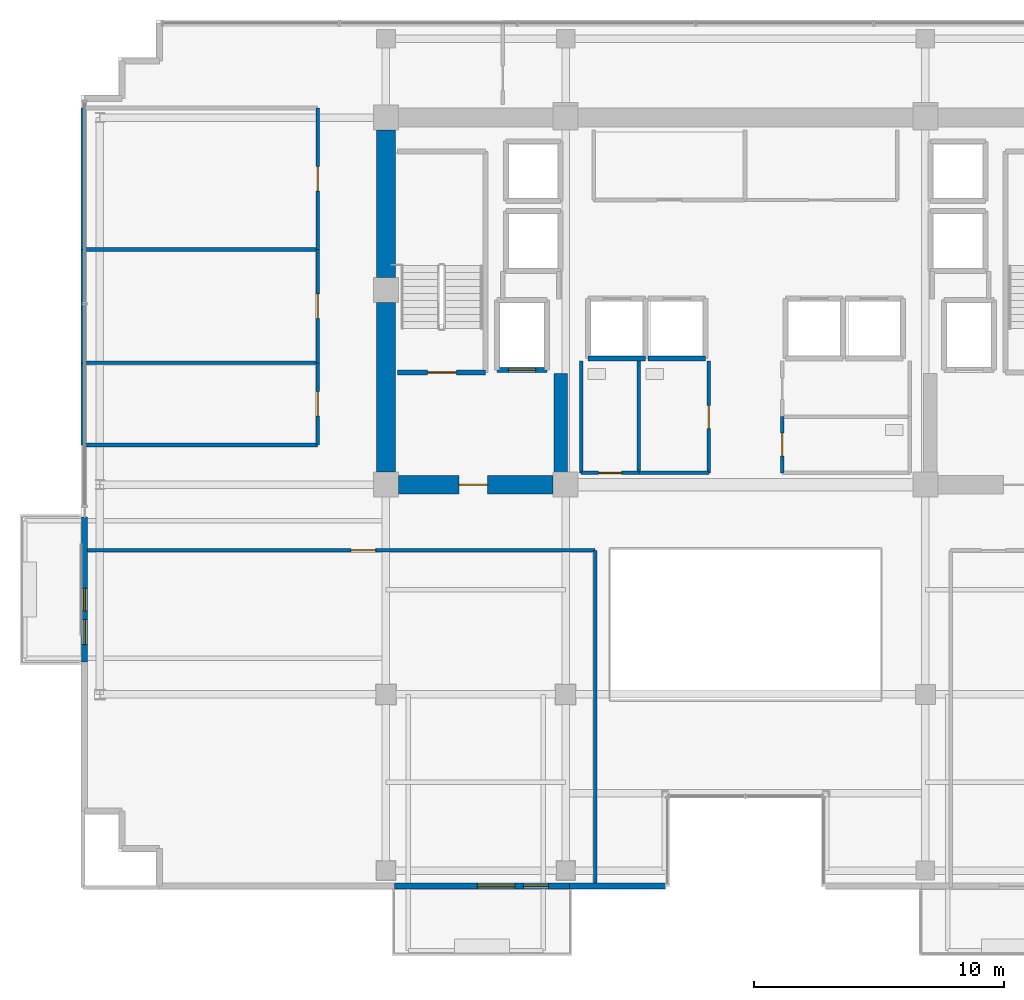
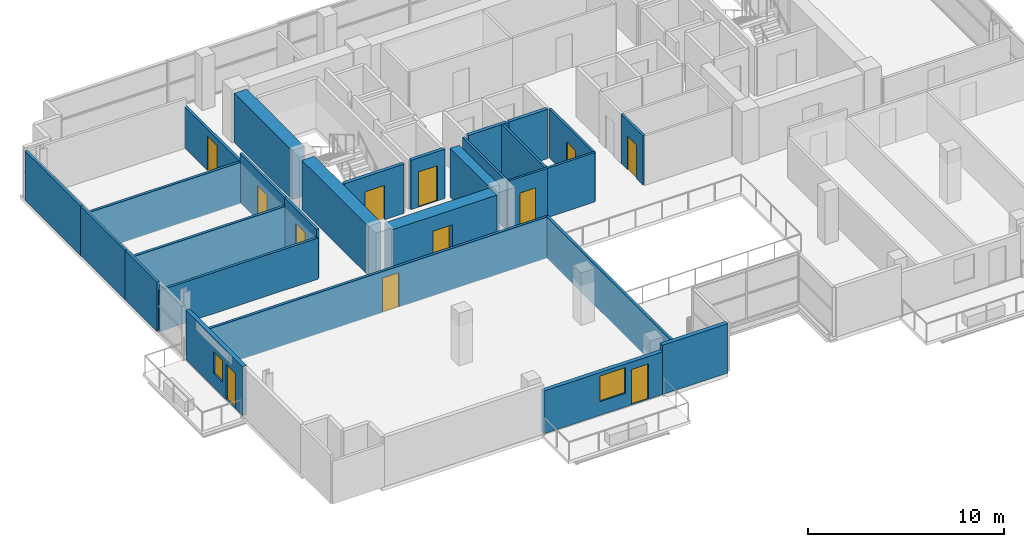
# One storey, part 14 of 21: 28 walls, 12 doors, 2 windows, 14 openings.
"""IFC4 building model written with IfcOpenShell, lengths in metres."""

from ifc_helpers import new_model, si_unit, direction, frame, frame_2d, origin, place, context, subcontext, project, spatial, rectangle, extrude, source, transform, mapped, material, layer, layer_set, type_object, element, fill, save


model = new_model("IFC4")

# Units and contexts
model_context = context("Model", 3, precision=1e-05, world=origin(), true_north=direction((0.0, 1.0)))
body_context = subcontext(model_context, "Body", "Model", "MODEL_VIEW")
ifc_project = project(units=[si_unit("LENGTHUNIT", "METRE"), si_unit("AREAUNIT", "SQUARE_METRE"), si_unit("VOLUMEUNIT", "CUBIC_METRE"), si_unit("PLANEANGLEUNIT", "RADIAN"), si_unit("MASSUNIT", "GRAM", prefix="KILO")], contexts=[model_context])

# Site, building, storey
site_placement = place(None, origin())
site = spatial("IfcSite", under=ifc_project, at=site_placement, CompositionType="ELEMENT")
building_placement = place(site_placement, origin())
building = spatial("IfcBuilding", under=site, at=building_placement, Name="Zarnakvel Exchange Tower", CompositionType="ELEMENT")
storey_placement = place(building_placement, frame((0.0, 0.0, 159.39990234375)))
storey = spatial("IfcBuildingStorey", under=building, at=storey_placement, Name="L44", CompositionType="ELEMENT", Elevation=159.39990234375)

# Walls
ifc_material_1 = material(Name="Concrete C60/75", Category="concrete")
ifc_layer_1 = layer(ifc_material_1, 0.75)
ifc_layer_set_1 = layer_set([ifc_layer_1], Name="Concrete C60/75")
wall_type_1 = type_object("IfcWallType", Name="CW-C3", PredefinedType="SHEAR", material=ifc_layer_set_1)
wall_1_placement = place(storey_placement, frame((-14.39990234375, -0.699951171875, 0.0), z_axis=(0.0, 0.0, 1.0), x_axis=(0.0, 1.0, 0.0)))
element("IfcWall", 1, at=wall_1_placement, inside=storey, type_object=wall_type_1, Name="L44 Rear Core Shear Wall W1 (CW-C3)", PredefinedType="SHEAR", context=body_context, shape_type="SweptSolid", body=[
    extrude(rectangle(XDim=6.800048828125, YDim=0.75, at=frame_2d((3.39990234375, 0.0))), origin(), (0.0, 0.0, 1.0), 3.0751953125),
])
wall_2_placement = place(storey_placement, frame((-14.39990234375, 7.10009765625, 0.0), z_axis=(0.0, 0.0, 1.0), x_axis=(0.0, 1.0, 0.0)))
element("IfcWall", 2, at=wall_2_placement, inside=storey, type_object=wall_type_1, Name="L44 Rear Core Shear Wall W2 (CW-C3)", PredefinedType="SHEAR", context=body_context, shape_type="SweptSolid", body=[
    extrude(rectangle(XDim=5.89990234375, YDim=0.75, at=frame_2d((2.949951171875, 0.0))), origin(), (0.0, 0.0, 1.0), 3.0751953125),
])

# Wall, opening, door
wall_3_placement = place(storey_placement, frame((-7.699951171875, -1.199951171875, 0.0), z_axis=(0.0, 0.0, 1.0), x_axis=(-1.0, 0.0, 0.0)))
wall_3 = element("IfcWall", 3, at=wall_3_placement, inside=storey, type_object=wall_type_1, Name="L44 Rear Core Shear Wall SW (CW-C3)", PredefinedType="SHEAR", context=body_context, shape_type="SweptSolid", body=[
    extrude(rectangle(XDim=6.199951171875, YDim=0.75, at=frame_2d((3.10009765625, 0.0))), origin(), (0.0, 0.0, 1.0), 3.0751953125),
])
opening_1_placement = place(wall_3_placement, frame((2.625, 0.0, 0.0)))
opening_1 = element("IfcOpeningElement", 4, at=opening_1_placement, cuts=wall_3, Name="Opening D-L44-03", PredefinedType="OPENING", context=body_context, shape_type="SweptSolid", body=[
    extrude(rectangle(XDim=1.14990234375, YDim=2.14990234375, at=frame_2d((0.574951171875, 1.074951171875))), frame((0.0, 0.385009765625, 0.0), z_axis=(0.0, -1.0, 0.0), x_axis=(1.0, 0.0, 0.0)), (0.0, 0.0, 1.0), 0.77001953125),
])
ifc_material_2 = material(Name="Painted Galvanised Steel S355", Category="steel")
door_type_1 = type_object("IfcDoorType", Name="DT-04", OperationType="NOTDEFINED", PredefinedType="DOOR", material=ifc_material_2)
shared_shape_1 = source(origin(), body_context, "Body", "SweptSolid", [
    extrude(rectangle(XDim=1.14990234375, YDim=2.14990234375, at=frame_2d((0.574951171875, 1.074951171875))), frame((0.0, 0.02490234375, 0.0), z_axis=(0.0, -1.0, 0.0), x_axis=(1.0, 0.0, 0.0)), (0.0, 0.0, 1.0), 0.050048828125),
])
door_1_placement = place(opening_1_placement, origin())
door_1 = element("IfcDoor", 5, at=door_1_placement, inside=storey, type_object=door_type_1, Name="L44 Firefighting Lobby West Door D-L44-03", OperationType="SINGLE_SWING_LEFT", OverallHeight=2.14990234375, OverallWidth=1.14990234375, PredefinedType="DOOR", context=body_context, shape_type="MappedRepresentation", body=[
    mapped(shared_shape_1, transform((0.0, 0.0, 0.0), x_axis=(1.0, 0.0, 0.0), y_axis=(0.0, 1.0, 0.0), z_axis=(0.0, 0.0, 1.0), scale=1.0)),
])
fill(opening_1, door_1)

# Wall
ifc_layer_2 = layer(ifc_material_1, 0.550048828125)
ifc_layer_set_2 = layer_set([ifc_layer_2], Name="Concrete C60/75")
wall_type_2 = type_object("IfcWallType", Name="CW-C4", PredefinedType="SHEAR", material=ifc_layer_set_2)
wall_4_placement = place(storey_placement, frame((-7.39990234375, -0.824951171875, 0.0), z_axis=(0.0, 0.0, 1.0), x_axis=(0.0, 1.0, 0.0)))
element("IfcWall", 6, at=wall_4_placement, inside=storey, type_object=wall_type_2, Name="L44 Rear Core Shear Wall IW (CW-C4)", PredefinedType="SHEAR", context=body_context, shape_type="SweptSolid", body=[
    extrude(rectangle(XDim=4.074951171875, YDim=0.550048828125, at=frame_2d((2.03759765625, 0.0))), origin(), (0.0, 0.0, 1.0), 3.0751953125),
])

# Wall, openings, door, window
ifc_material_3 = material(Name="Precast concrete C40/50", Category="concrete")
ifc_layer_3 = layer(ifc_material_3, 0.239990234375)
ifc_layer_set_3 = layer_set([ifc_layer_3], Name="Precast concrete C40/50")
wall_type_3 = type_object("IfcWallType", Name="EW-02", PredefinedType="SOLIDWALL", material=ifc_layer_set_3)
wall_5_placement = place(storey_placement, frame((-7.050048828125, -17.260009765625, 0.0), z_axis=(0.0, 0.0, 1.0), x_axis=(-1.0, 0.0, 0.0)))
wall_5 = element("IfcWall", 7, at=wall_5_placement, inside=storey, type_object=wall_type_3, Name="L44 Exterior Precast Spandrel Wall EW-BAL-L44-SW (EW-02)", PredefinedType="SOLIDWALL", context=body_context, shape_type="SweptSolid", body=[
    extrude(rectangle(XDim=7.0, YDim=0.239990234375, at=frame_2d((3.5, 0.0))), origin(), (0.0, 0.0, 1.0), 2.6650390625),
])
opening_2_placement = place(wall_5_placement, frame((0.840087890625, 0.0, 0.0)))
opening_2 = element("IfcOpeningElement", 8, at=opening_2_placement, cuts=wall_5, Name="Opening BD-L44-01", PredefinedType="OPENING", context=body_context, shape_type="SweptSolid", body=[
    extrude(rectangle(XDim=1.0, YDim=2.199951171875, at=frame_2d((0.5, 1.10009765625))), frame((0.0, 0.1298828125, 0.0), z_axis=(0.0, -1.0, 0.0), x_axis=(1.0, 0.0, 0.0)), (0.0, 0.0, 1.0), 0.260009765625),
])
opening_3_placement = place(wall_5_placement, frame((2.18994140625, 0.0, 0.85009765625)))
opening_3 = element("IfcOpeningElement", 9, at=opening_3_placement, cuts=wall_5, Name="Opening WN-03", PredefinedType="OPENING", context=body_context, shape_type="SweptSolid", body=[
    extrude(rectangle(XDim=1.5, YDim=1.60009765625, at=frame_2d((0.75, 0.800048828125))), frame((0.0, 0.1298828125, 0.0), z_axis=(0.0, -1.0, 0.0), x_axis=(1.0, 0.0, 0.0)), (0.0, 0.0, 1.0), 0.260009765625),
])
ifc_material_4 = material(Name="Architectural Bronze Anodised Aluminium", Category="aluminium")
door_type_2 = type_object("IfcDoorType", Name="DT-09", OperationType="NOTDEFINED", PredefinedType="DOOR", material=ifc_material_4)
shared_shape_2 = source(origin(), body_context, "Body", "SweptSolid", [
    extrude(rectangle(XDim=1.0, YDim=2.199951171875, at=frame_2d((0.5, 1.10009765625))), frame((0.0, 0.02490234375, 0.0), z_axis=(0.0, -1.0, 0.0), x_axis=(1.0, 0.0, 0.0)), (0.0, 0.0, 1.0), 0.050048828125),
])
door_2_placement = place(opening_2_placement, origin())
door_2 = element("IfcDoor", 10, at=door_2_placement, inside=storey, type_object=door_type_2, Name="L44 Planted Loggia Balcony Door BD-L44-01", OperationType="SINGLE_SWING_RIGHT", OverallHeight=2.199951171875, OverallWidth=1.0, PredefinedType="DOOR", context=body_context, shape_type="MappedRepresentation", body=[
    mapped(shared_shape_2, transform((0.0, 0.0, 0.0), x_axis=(1.0, 0.0, 0.0), y_axis=(0.0, 1.0, 0.0), z_axis=(0.0, 0.0, 1.0), scale=1.0)),
])
fill(opening_2, door_2)
ifc_material_5 = material(Name="Double Low-E Laminated Vision Glass", Category="glass")
window_type_1 = type_object("IfcWindowType", Name="WN-03", PartitioningType="SINGLE_PANEL", PredefinedType="WINDOW", material=ifc_material_5)
shared_shape_3 = source(origin(), body_context, "Body", "SweptSolid", [
    extrude(rectangle(XDim=1.5, YDim=1.60009765625, at=frame_2d((0.75, 0.800048828125))), frame((0.0, 0.030029296875, 0.0), z_axis=(0.0, -1.0, 0.0), x_axis=(1.0, 0.0, 0.0)), (0.0, 0.0, 1.0), 0.06005859375),
])
window_1_placement = place(opening_3_placement, origin())
window_1 = element("IfcWindow", 11, at=window_1_placement, inside=storey, type_object=window_type_1, Name="L44 Loggia Daylight Window (WN-03)", OverallHeight=1.60009765625, OverallWidth=1.5, PartitioningType="SINGLE_PANEL", PredefinedType="WINDOW", context=body_context, shape_type="MappedRepresentation", body=[
    mapped(shared_shape_3, transform((0.0, 0.0, 0.0), x_axis=(1.0, 0.0, 0.0), y_axis=(0.0, 1.0, 0.0), z_axis=(0.0, 0.0, 1.0), scale=1.0)),
])
fill(opening_3, window_1)

wall_6_placement = place(storey_placement, frame((-26.4599609375, -8.300048828125, 0.0), z_axis=(0.0, 0.0, 1.0), x_axis=(0.0, 1.0, 0.0)))
wall_6 = element("IfcWall", 12, at=wall_6_placement, inside=storey, type_object=wall_type_3, Name="L44 Exterior Precast Spandrel Wall EW-BAL-L44-W (EW-02)", PredefinedType="SOLIDWALL", context=body_context, shape_type="SweptSolid", body=[
    extrude(rectangle(XDim=5.800048828125, YDim=0.239990234375, at=frame_2d((2.89990234375, 0.0))), origin(), (0.0, 0.0, 1.0), 3.0751953125),
])
opening_4_placement = place(wall_6_placement, frame((0.696044921875, 0.0, 0.0)))
opening_4 = element("IfcOpeningElement", 13, at=opening_4_placement, cuts=wall_6, Name="Opening BD-L44-03", PredefinedType="OPENING", context=body_context, shape_type="SweptSolid", body=[
    extrude(rectangle(XDim=1.0, YDim=2.199951171875, at=frame_2d((0.5, 1.10009765625))), frame((0.0, 0.1298828125, 0.0), z_axis=(0.0, -1.0, 0.0), x_axis=(1.0, 0.0, 0.0)), (0.0, 0.0, 1.0), 0.260009765625),
])
opening_5_placement = place(wall_6_placement, frame((2.0458984375, 0.0, 0.85009765625)))
opening_5 = element("IfcOpeningElement", 14, at=opening_5_placement, cuts=wall_6, Name="Opening WN-06", PredefinedType="OPENING", context=body_context, shape_type="SweptSolid", body=[
    extrude(rectangle(XDim=0.89990234375, YDim=1.35009765625, at=frame_2d((0.449951171875, 0.675048828125))), frame((0.0, 0.1298828125, 0.0), z_axis=(0.0, -1.0, 0.0), x_axis=(1.0, 0.0, 0.0)), (0.0, 0.0, 1.0), 0.260009765625),
])
door_3_placement = place(opening_4_placement, origin())
door_3 = element("IfcDoor", 15, at=door_3_placement, inside=storey, type_object=door_type_2, Name="L44 Planted Loggia Balcony Door BD-L44-03", OperationType="SINGLE_SWING_RIGHT", OverallHeight=2.199951171875, OverallWidth=1.0, PredefinedType="DOOR", context=body_context, shape_type="MappedRepresentation", body=[
    mapped(shared_shape_2, transform((0.0, 0.0, 0.0), x_axis=(1.0, 0.0, 0.0), y_axis=(0.0, 1.0, 0.0), z_axis=(0.0, 0.0, 1.0), scale=1.0)),
])
fill(opening_4, door_3)
window_type_2 = type_object("IfcWindowType", Name="WN-06", PartitioningType="SINGLE_PANEL", PredefinedType="WINDOW", material=ifc_material_5)
shared_shape_4 = source(origin(), body_context, "Body", "SweptSolid", [
    extrude(rectangle(XDim=0.89990234375, YDim=1.35009765625, at=frame_2d((0.449951171875, 0.675048828125))), frame((0.0, 0.030029296875, 0.0), z_axis=(0.0, -1.0, 0.0), x_axis=(1.0, 0.0, 0.0)), (0.0, 0.0, 1.0), 0.06005859375),
])
window_2_placement = place(opening_5_placement, origin())
window_2 = element("IfcWindow", 16, at=window_2_placement, inside=storey, type_object=window_type_2, Name="L44 Loggia Daylight Window (WN-06)", OverallHeight=1.35009765625, OverallWidth=0.89990234375, PartitioningType="SINGLE_PANEL", PredefinedType="WINDOW", context=body_context, shape_type="MappedRepresentation", body=[
    mapped(shared_shape_4, transform((0.0, 0.0, 0.0), x_axis=(1.0, 0.0, 0.0), y_axis=(0.0, 1.0, 0.0), z_axis=(0.0, 0.0, 1.0), scale=1.0)),
])
fill(opening_5, window_2)

# Wall
wall_7_placement = place(storey_placement, frame((-7.050048828125, -17.260009765625, 0.0), z_axis=(0.0, 0.0, 1.0), x_axis=(1.0, 0.0, 0.0)))
element("IfcWall", 17, at=wall_7_placement, inside=storey, type_object=wall_type_3, Name="L44 Exterior Precast Spandrel Wall EWC-L44-21 (EW-02)", PredefinedType="SOLIDWALL", context=body_context, shape_type="SweptSolid", body=[
    extrude(rectangle(XDim=3.85009765625, YDim=0.239990234375, at=frame_2d((1.925048828125, 0.0))), origin(), (0.0, 0.0, 1.0), 3.0751953125),
])

# Wall, opening, door
ifc_material_6 = material(Name="Fire-Rated Gypsum Stud Partition", Category="gypsum")
ifc_layer_4 = layer(ifc_material_6, 0.14990234375)
ifc_layer_set_4 = layer_set([ifc_layer_4], Name="Fire-Rated Gypsum Stud Partition")
wall_type_4 = type_object("IfcWallType", Name="PT-01", PredefinedType="PARTITIONING", material=ifc_layer_set_4)
wall_8_placement = place(storey_placement, frame((-26.530029296875, -3.830078125, 0.0), z_axis=(0.0, 0.0, 1.0), x_axis=(1.0, 0.0, 0.0)))
wall_8 = element("IfcWall", 18, at=wall_8_placement, inside=storey, type_object=wall_type_4, Name="L44 Partition Wall PWALL-L44-028 (PT-01)", PredefinedType="PARTITIONING", context=body_context, shape_type="SweptSolid", body=[
    extrude(rectangle(XDim=20.510009765625, YDim=0.14990234375, at=frame_2d((10.2548828125, 0.0))), origin(), (0.0, 0.0, 1.0), 2.565185546875),
])
opening_6_placement = place(wall_8_placement, frame((10.739990234375, 0.0, 0.0)))
opening_6 = element("IfcOpeningElement", 19, at=opening_6_placement, cuts=wall_8, Name="Opening D-L44-11", PredefinedType="OPENING", context=body_context, shape_type="SweptSolid", body=[
    extrude(rectangle(XDim=0.97998046875, YDim=2.14990234375, at=frame_2d((0.489990234375, 1.074951171875))), frame((0.0, 0.0849609375, 0.0), z_axis=(0.0, -1.0, 0.0), x_axis=(1.0, 0.0, 0.0)), (0.0, 0.0, 1.0), 0.169921875),
])
ifc_material_7 = material(Name="Timber Acoustic Veneer", Category="wood")
door_type_3 = type_object("IfcDoorType", Name="DT-05", OperationType="NOTDEFINED", PredefinedType="DOOR", material=ifc_material_7)
shared_shape_5 = source(origin(), body_context, "Body", "SweptSolid", [
    extrude(rectangle(XDim=0.97998046875, YDim=2.14990234375, at=frame_2d((0.489990234375, 1.074951171875))), frame((0.0, 0.02490234375, 0.0), z_axis=(0.0, -1.0, 0.0), x_axis=(1.0, 0.0, 0.0)), (0.0, 0.0, 1.0), 0.050048828125),
])
door_4_placement = place(opening_6_placement, origin())
door_4 = element("IfcDoor", 20, at=door_4_placement, inside=storey, type_object=door_type_3, Name="L44 Institutional Dealing Room Door D-L44-11", OperationType="SINGLE_SWING_LEFT", OverallHeight=2.14990234375, OverallWidth=0.97998046875, PredefinedType="DOOR", context=body_context, shape_type="MappedRepresentation", body=[
    mapped(shared_shape_5, transform((0.0, 0.0, 0.0), x_axis=(1.0, 0.0, 0.0), y_axis=(0.0, 1.0, 0.0), z_axis=(0.0, 0.0, 1.0), scale=1.0)),
])
fill(opening_6, door_4)

# Walls
wall_9_placement = place(storey_placement, frame((-6.02001953125, -3.830078125, 0.0), z_axis=(0.0, 0.0, 1.0), x_axis=(0.0, -1.0, 0.0)))
element("IfcWall", 21, at=wall_9_placement, inside=storey, type_object=wall_type_4, Name="L44 Partition Wall PWALL-L44-030 (PT-01)", PredefinedType="PARTITIONING", context=body_context, shape_type="SweptSolid", body=[
    extrude(rectangle(XDim=13.5, YDim=0.14990234375, at=frame_2d((6.75, 0.0))), origin(), (0.0, 0.0, 1.0), 2.565185546875),
])
for number, where, z_axis, x_axis, name in (
    (22, (-17.1298828125, 0.391357421875, 0.0), (0.0, 0.0, 1.0), (-1.0, 0.0, 0.0), "L44 Partition Wall PWALL-L44-041 (PT-01)"),
    (23, (-26.530029296875, 3.678466796875, 0.0), (0.0, 0.0, 1.0), (1.0, 0.0, 0.0), "L44 Partition Wall PWALL-L44-042 (PT-01)"),
):
    element("IfcWall", number, at=place(storey_placement, frame(where, z_axis=z_axis, x_axis=x_axis)), inside=storey, type_object=wall_type_4, Name=name, PredefinedType="PARTITIONING", context=body_context, shape_type="SweptSolid", body=[
        extrude(rectangle(XDim=9.400146484375, YDim=0.14990234375, at=frame_2d((4.7001953125, 0.0))), origin(), (0.0, 0.0, 1.0), 2.565185546875),
    ])
wall_10_placement = place(storey_placement, frame((-26.530029296875, 0.391357421875, 0.0), z_axis=(0.0, 0.0, 1.0), x_axis=(0.0, 1.0, 0.0)))
element("IfcWall", 24, at=wall_10_placement, inside=storey, type_object=wall_type_4, Name="L44 Partition Wall PWALL-L44-043 (PT-01)", PredefinedType="PARTITIONING", context=body_context, shape_type="SweptSolid", body=[
    extrude(rectangle(XDim=3.287109375, YDim=0.14990234375, at=frame_2d((1.6435546875, 0.0))), origin(), (0.0, 0.0, 1.0), 3.0751953125),
])

# Wall, opening, door
wall_11_placement = place(storey_placement, frame((-17.1298828125, 3.678466796875, 0.0), z_axis=(0.0, 0.0, 1.0), x_axis=(0.0, -1.0, 0.0)))
wall_11 = element("IfcWall", 25, at=wall_11_placement, inside=storey, type_object=wall_type_4, Name="L44 Partition Wall PWALL-L44-044 (PT-01)", PredefinedType="PARTITIONING", context=body_context, shape_type="SweptSolid", body=[
    extrude(rectangle(XDim=3.287109375, YDim=0.14990234375, at=frame_2d((1.6435546875, 0.0))), origin(), (0.0, 0.0, 1.0), 3.0751953125),
])
opening_7_placement = place(wall_11_placement, frame((1.1533203125, 0.0, 0.0)))
opening_7 = element("IfcOpeningElement", 26, at=opening_7_placement, cuts=wall_11, Name="Opening D-L44-15", PredefinedType="OPENING", context=body_context, shape_type="SweptSolid", body=[
    extrude(rectangle(XDim=0.97998046875, YDim=2.14990234375, at=frame_2d((0.489990234375, 1.074951171875))), frame((0.0, 0.0849609375, 0.0), z_axis=(0.0, -1.0, 0.0), x_axis=(1.0, 0.0, 0.0)), (0.0, 0.0, 1.0), 0.169921875),
])
door_5_placement = place(opening_7_placement, origin())
door_5 = element("IfcDoor", 27, at=door_5_placement, inside=storey, type_object=door_type_3, Name="L44 Breakout Pantry Door D-L44-15", OperationType="SINGLE_SWING_LEFT", OverallHeight=2.14990234375, OverallWidth=0.97998046875, PredefinedType="DOOR", context=body_context, shape_type="MappedRepresentation", body=[
    mapped(shared_shape_5, transform((0.0, 0.0, 0.0), x_axis=(1.0, 0.0, 0.0), y_axis=(0.0, 1.0, 0.0), z_axis=(0.0, 0.0, 1.0), scale=1.0)),
])
fill(opening_7, door_5)

# Walls
wall_12_placement = place(storey_placement, frame((-26.530029296875, 8.21630859375, 0.0), z_axis=(0.0, 0.0, 1.0), x_axis=(1.0, 0.0, 0.0)))
element("IfcWall", 28, at=wall_12_placement, inside=storey, type_object=wall_type_4, Name="L44 Partition Wall PWALL-L44-045 (PT-01)", PredefinedType="PARTITIONING", context=body_context, shape_type="SweptSolid", body=[
    extrude(rectangle(XDim=9.400146484375, YDim=0.14990234375, at=frame_2d((4.7001953125, 0.0))), origin(), (0.0, 0.0, 1.0), 2.565185546875),
])
wall_13_placement = place(storey_placement, frame((-26.530029296875, 3.678466796875, 0.0), z_axis=(0.0, 0.0, 1.0), x_axis=(0.0, 1.0, 0.0)))
element("IfcWall", 29, at=wall_13_placement, inside=storey, type_object=wall_type_4, Name="L44 Partition Wall PWALL-L44-046 (PT-01)", PredefinedType="PARTITIONING", context=body_context, shape_type="SweptSolid", body=[
    extrude(rectangle(XDim=4.537841796875, YDim=0.14990234375, at=frame_2d((2.26904296875, 0.0))), origin(), (0.0, 0.0, 1.0), 3.0751953125),
])

# Wall, opening, door
wall_14_placement = place(storey_placement, frame((-17.1298828125, 8.21630859375, 0.0), z_axis=(0.0, 0.0, 1.0), x_axis=(0.0, -1.0, 0.0)))
wall_14 = element("IfcWall", 30, at=wall_14_placement, inside=storey, type_object=wall_type_4, Name="L44 Partition Wall PWALL-L44-047 (PT-01)", PredefinedType="PARTITIONING", context=body_context, shape_type="SweptSolid", body=[
    extrude(rectangle(XDim=4.537841796875, YDim=0.14990234375, at=frame_2d((2.26904296875, 0.0))), origin(), (0.0, 0.0, 1.0), 3.0751953125),
])
opening_8_placement = place(wall_14_placement, frame((1.779296875, 0.0, 0.0)))
opening_8 = element("IfcOpeningElement", 31, at=opening_8_placement, cuts=wall_14, Name="Opening D-L44-16", PredefinedType="OPENING", context=body_context, shape_type="SweptSolid", body=[
    extrude(rectangle(XDim=0.97998046875, YDim=2.14990234375, at=frame_2d((0.489990234375, 1.074951171875))), frame((0.0, 0.0849609375, 0.0), z_axis=(0.0, -1.0, 0.0), x_axis=(1.0, 0.0, 0.0)), (0.0, 0.0, 1.0), 0.169921875),
])
door_6_placement = place(opening_8_placement, origin())
door_6 = element("IfcDoor", 32, at=door_6_placement, inside=storey, type_object=door_type_3, Name="L44 Settlement Office Door D-L44-16", OperationType="SINGLE_SWING_RIGHT", OverallHeight=2.14990234375, OverallWidth=0.97998046875, PredefinedType="DOOR", context=body_context, shape_type="MappedRepresentation", body=[
    mapped(shared_shape_5, transform((0.0, 0.0, 0.0), x_axis=(1.0, 0.0, 0.0), y_axis=(0.0, 1.0, 0.0), z_axis=(0.0, 0.0, 1.0), scale=1.0)),
])
fill(opening_8, door_6)

# Wall
wall_15_placement = place(storey_placement, frame((-26.530029296875, 8.21630859375, 0.0), z_axis=(0.0, 0.0, 1.0), x_axis=(0.0, 1.0, 0.0)))
element("IfcWall", 33, at=wall_15_placement, inside=storey, type_object=wall_type_4, Name="L44 Partition Wall PWALL-L44-049 (PT-01)", PredefinedType="PARTITIONING", context=body_context, shape_type="SweptSolid", body=[
    extrude(rectangle(XDim=5.66357421875, YDim=0.14990234375, at=frame_2d((2.831787109375, 0.0))), origin(), (0.0, 0.0, 1.0), 3.0751953125),
])

# Wall, opening, door
wall_16_placement = place(storey_placement, frame((-17.1298828125, 13.8798828125, 0.0), z_axis=(0.0, 0.0, 1.0), x_axis=(0.0, -1.0, 0.0)))
wall_16 = element("IfcWall", 34, at=wall_16_placement, inside=storey, type_object=wall_type_4, Name="L44 Partition Wall PWALL-L44-050 (PT-01)", PredefinedType="PARTITIONING", context=body_context, shape_type="SweptSolid", body=[
    extrude(rectangle(XDim=5.66357421875, YDim=0.14990234375, at=frame_2d((2.831787109375, 0.0))), origin(), (0.0, 0.0, 1.0), 2.565185546875),
])
opening_9_placement = place(wall_16_placement, frame((2.342041015625, 0.0, 0.0)))
opening_9 = element("IfcOpeningElement", 35, at=opening_9_placement, cuts=wall_16, Name="Opening D-L44-17", PredefinedType="OPENING", context=body_context, shape_type="SweptSolid", body=[
    extrude(rectangle(XDim=0.97998046875, YDim=2.14990234375, at=frame_2d((0.489990234375, 1.074951171875))), frame((0.0, 0.0849609375, 0.0), z_axis=(0.0, -1.0, 0.0), x_axis=(1.0, 0.0, 0.0)), (0.0, 0.0, 1.0), 0.169921875),
])
door_7_placement = place(opening_9_placement, origin())
door_7 = element("IfcDoor", 36, at=door_7_placement, inside=storey, type_object=door_type_3, Name="L44 Reception Lounge Door D-L44-17", OperationType="SINGLE_SWING_LEFT", OverallHeight=2.14990234375, OverallWidth=0.97998046875, PredefinedType="DOOR", context=body_context, shape_type="MappedRepresentation", body=[
    mapped(shared_shape_5, transform((0.0, 0.0, 0.0), x_axis=(1.0, 0.0, 0.0), y_axis=(0.0, 1.0, 0.0), z_axis=(0.0, 0.0, 1.0), scale=1.0)),
])
fill(opening_9, door_7)

ifc_material_8 = material(Name="Moisture-Resistant Tile-Faced Partition", Category="gypsum")
ifc_layer_5 = layer(ifc_material_8, 0.135009765625)
ifc_layer_set_5 = layer_set([ifc_layer_5], Name="Moisture-Resistant Tile-Faced Partition")
wall_type_5 = type_object("IfcWallType", Name="PT-03", PredefinedType="PARTITIONING", material=ifc_layer_set_5)
wall_17_placement = place(storey_placement, frame((-4.27001953125, -0.72998046875, 0.0), z_axis=(0.0, 0.0, 1.0), x_axis=(-1.0, 0.0, 0.0)))
wall_17 = element("IfcWall", 37, at=wall_17_placement, inside=storey, type_object=wall_type_5, Name="L44 Partition Wall PWALL-L44-016 (PT-03)", PredefinedType="PARTITIONING", context=body_context, shape_type="SweptSolid", body=[
    extrude(rectangle(XDim=2.31005859375, YDim=0.135009765625, at=frame_2d((1.155029296875, 0.0))), origin(), (0.0, 0.0, 1.0), 3.0751953125),
])
opening_10_placement = place(wall_17_placement, frame((0.68994140625, 0.0, 0.0)))
opening_10 = element("IfcOpeningElement", 38, at=opening_10_placement, cuts=wall_17, Name="Opening D-L44-07", PredefinedType="OPENING", context=body_context, shape_type="SweptSolid", body=[
    extrude(rectangle(XDim=0.919921875, YDim=2.10009765625, at=frame_2d((0.4599609375, 1.050048828125))), frame((0.0, 0.077392578125, 0.0), z_axis=(0.0, -1.0, 0.0), x_axis=(1.0, 0.0, 0.0)), (0.0, 0.0, 1.0), 0.155029296875),
])
ifc_material_9 = material(Name="Moisture-Resistant Laminate Timber", Category="wood")
door_type_4 = type_object("IfcDoorType", Name="DT-07", OperationType="NOTDEFINED", PredefinedType="DOOR", material=ifc_material_9)
shared_shape_6 = source(origin(), body_context, "Body", "SweptSolid", [
    extrude(rectangle(XDim=0.919921875, YDim=2.10009765625, at=frame_2d((0.4599609375, 1.050048828125))), frame((0.0, 0.02490234375, 0.0), z_axis=(0.0, -1.0, 0.0), x_axis=(1.0, 0.0, 0.0)), (0.0, 0.0, 1.0), 0.050048828125),
])
door_8_placement = place(opening_10_placement, origin())
door_8 = element("IfcDoor", 39, at=door_8_placement, inside=storey, type_object=door_type_4, Name="L44 Female Toilet Door D-L44-07", OperationType="SINGLE_SWING_LEFT", OverallHeight=2.10009765625, OverallWidth=0.919921875, PredefinedType="DOOR", context=body_context, shape_type="MappedRepresentation", body=[
    mapped(shared_shape_6, transform((0.0, 0.0, 0.0), x_axis=(1.0, 0.0, 0.0), y_axis=(0.0, 1.0, 0.0), z_axis=(0.0, 0.0, 1.0), scale=1.0)),
])
fill(opening_10, door_8)

# Walls
for number, where, z_axis, x_axis, name in (
    (40, (-6.580078125, -0.72998046875, 0.0), (0.0, 0.0, 1.0), (0.0, 1.0, 0.0), "L44 Partition Wall PWALL-L44-017 (PT-03)"),
    (41, (-4.27001953125, 3.760009765625, 0.0), (0.0, 0.0, 1.0), (0.0, -1.0, 0.0), "L44 Partition Wall PWALL-L44-018 (PT-03)"),
):
    element("IfcWall", number, at=place(storey_placement, frame(where, z_axis=z_axis, x_axis=x_axis)), inside=storey, type_object=wall_type_5, Name=name, PredefinedType="PARTITIONING", context=body_context, shape_type="SweptSolid", body=[
        extrude(rectangle(XDim=4.489990234375, YDim=0.135009765625, at=frame_2d((2.2451171875, 0.0))), origin(), (0.0, 0.0, 1.0), 3.0751953125),
    ])
wall_18_placement = place(storey_placement, frame((-1.469970703125, -0.72998046875, 0.0), z_axis=(0.0, 0.0, 1.0), x_axis=(-1.0, 0.0, 0.0)))
element("IfcWall", 42, at=wall_18_placement, inside=storey, type_object=wall_type_5, Name="L44 Partition Wall PWALL-L44-019 (PT-03)", PredefinedType="PARTITIONING", context=body_context, shape_type="SweptSolid", body=[
    extrude(rectangle(XDim=2.800048828125, YDim=0.135009765625, at=frame_2d((1.39990234375, 0.0))), origin(), (0.0, 0.0, 1.0), 3.0751953125),
])

# Wall, opening, door
wall_19_placement = place(storey_placement, frame((-1.469970703125, 3.760009765625, 0.0), z_axis=(0.0, 0.0, 1.0), x_axis=(0.0, -1.0, 0.0)))
wall_19 = element("IfcWall", 43, at=wall_19_placement, inside=storey, type_object=wall_type_5, Name="L44 Partition Wall PWALL-L44-020 (PT-03)", PredefinedType="PARTITIONING", context=body_context, shape_type="SweptSolid", body=[
    extrude(rectangle(XDim=4.489990234375, YDim=0.135009765625, at=frame_2d((2.2451171875, 0.0))), origin(), (0.0, 0.0, 1.0), 3.0751953125),
])
opening_11_placement = place(wall_19_placement, frame((1.800048828125, 0.0, 0.0)))
opening_11 = element("IfcOpeningElement", 44, at=opening_11_placement, cuts=wall_19, Name="Opening D-L44-08", PredefinedType="OPENING", context=body_context, shape_type="SweptSolid", body=[
    extrude(rectangle(XDim=0.919921875, YDim=2.10009765625, at=frame_2d((0.4599609375, 1.050048828125))), frame((0.0, 0.077392578125, 0.0), z_axis=(0.0, -1.0, 0.0), x_axis=(1.0, 0.0, 0.0)), (0.0, 0.0, 1.0), 0.155029296875),
])
door_9_placement = place(opening_11_placement, origin())
door_9 = element("IfcDoor", 45, at=door_9_placement, inside=storey, type_object=door_type_4, Name="L44 Male Toilet Door D-L44-08", OperationType="SINGLE_SWING_RIGHT", OverallHeight=2.10009765625, OverallWidth=0.919921875, PredefinedType="DOOR", context=body_context, shape_type="MappedRepresentation", body=[
    mapped(shared_shape_6, transform((0.0, 0.0, 0.0), x_axis=(1.0, 0.0, 0.0), y_axis=(0.0, 1.0, 0.0), z_axis=(0.0, 0.0, 1.0), scale=1.0)),
])
fill(opening_11, door_9)

wall_20_placement = place(storey_placement, frame((1.469970703125, -0.72998046875, 0.0), z_axis=(0.0, 0.0, 1.0), x_axis=(0.0, 1.0, 0.0)))
wall_20 = element("IfcWall", 46, at=wall_20_placement, inside=storey, type_object=wall_type_5, Name="L44 Partition Wall PWALL-L44-023 (PT-03)", PredefinedType="PARTITIONING", context=body_context, shape_type="SweptSolid", body=[
    extrude(rectangle(XDim=2.25, YDim=0.135009765625, at=frame_2d((1.125, 0.0))), origin(), (0.0, 0.0, 1.0), 3.0751953125),
])
opening_12_placement = place(wall_20_placement, frame((0.669921875, 0.0, 0.0)))
opening_12 = element("IfcOpeningElement", 47, at=opening_12_placement, cuts=wall_20, Name="Opening D-L44-09", PredefinedType="OPENING", context=body_context, shape_type="SweptSolid", body=[
    extrude(rectangle(XDim=0.919921875, YDim=2.10009765625, at=frame_2d((0.4599609375, 1.050048828125))), frame((0.0, 0.077392578125, 0.0), z_axis=(0.0, -1.0, 0.0), x_axis=(1.0, 0.0, 0.0)), (0.0, 0.0, 1.0), 0.155029296875),
])
door_10_placement = place(opening_12_placement, origin())
door_10 = element("IfcDoor", 48, at=door_10_placement, inside=storey, type_object=door_type_4, Name="L44 Accessible Toilet Door D-L44-09", OperationType="SINGLE_SWING_LEFT", OverallHeight=2.10009765625, OverallWidth=0.919921875, PredefinedType="DOOR", context=body_context, shape_type="MappedRepresentation", body=[
    mapped(shared_shape_6, transform((0.0, 0.0, 0.0), x_axis=(1.0, 0.0, 0.0), y_axis=(0.0, 1.0, 0.0), z_axis=(0.0, 0.0, 1.0), scale=1.0)),
])
fill(opening_12, door_10)

ifc_material_10 = material(Name="Concrete C40/50", Category="concrete")
ifc_layer_6 = layer(ifc_material_10, 0.199951171875)
ifc_layer_set_6 = layer_set([ifc_layer_6], Name="Concrete C40/50")
wall_type_6 = type_object("IfcWallType", Name="SW-01", PredefinedType="SOLIDWALL", material=ifc_layer_set_6)
wall_21_placement = place(storey_placement, frame((-7.949951171875, 3.39990234375, 0.0), z_axis=(0.0, 0.0, 1.0), x_axis=(-1.0, 0.0, 0.0)))
wall_21 = element("IfcWall", 49, at=wall_21_placement, inside=storey, type_object=wall_type_6, Name="L44 FL-01 Hoistway Wall South", PredefinedType="SOLIDWALL", context=body_context, shape_type="SweptSolid", body=[
    extrude(rectangle(XDim=2.0, YDim=0.199951171875, at=frame_2d((1.0, 0.0))), origin(), (0.0, 0.0, 1.0), 3.0751953125),
])
opening_13_placement = place(wall_21_placement, frame((0.449951171875, 0.0, 0.0)))
opening_13 = element("IfcOpeningElement", 50, at=opening_13_placement, cuts=wall_21, Name="Opening LD-FL-01-L44", PredefinedType="OPENING", context=body_context, shape_type="SweptSolid", body=[
    extrude(rectangle(XDim=1.10009765625, YDim=2.199951171875, at=frame_2d((0.550048828125, 1.10009765625))), frame((0.0, 0.10986328125, 0.0), z_axis=(0.0, -1.0, 0.0), x_axis=(1.0, 0.0, 0.0)), (0.0, 0.0, 1.0), 0.219970703125),
])
ifc_material_11 = material(Name="Brushed Stainless Steel", Category="steel")
door_type_5 = type_object("IfcDoorType", Name="LDT-01", OperationType="NOTDEFINED", PredefinedType="DOOR", material=ifc_material_11)
shared_shape_7 = source(origin(), body_context, "Body", "SweptSolid", [
    extrude(rectangle(XDim=1.10009765625, YDim=2.199951171875, at=frame_2d((0.550048828125, 1.10009765625))), frame((0.0, 0.02490234375, 0.0), z_axis=(0.0, -1.0, 0.0), x_axis=(1.0, 0.0, 0.0)), (0.0, 0.0, 1.0), 0.050048828125),
])
door_11_placement = place(opening_13_placement, origin())
door_11 = element("IfcDoor", 51, at=door_11_placement, inside=storey, type_object=door_type_5, Name="L44 FL-01 Lift Landing Door LD-FL-01-L44", OperationType="DOUBLE_DOOR_SLIDING", OverallHeight=2.199951171875, OverallWidth=1.10009765625, PredefinedType="DOOR", context=body_context, shape_type="MappedRepresentation", body=[
    mapped(shared_shape_7, transform((0.0, 0.0, 0.0), x_axis=(1.0, 0.0, 0.0), y_axis=(0.0, 1.0, 0.0), z_axis=(0.0, 0.0, 1.0), scale=1.0)),
])
fill(opening_13, door_11)

# Walls
wall_22_placement = place(storey_placement, frame((-4.0, 3.85009765625, 0.0), z_axis=(0.0, 0.0, 1.0), x_axis=(-1.0, 0.0, 0.0)))
element("IfcWall", 52, at=wall_22_placement, inside=storey, type_object=wall_type_6, Name="L44 PL-05 Hoistway Wall South", PredefinedType="SOLIDWALL", context=body_context, shape_type="SweptSolid", body=[
    extrude(rectangle(XDim=2.300048828125, YDim=0.199951171875, at=frame_2d((1.14990234375, 0.0))), origin(), (0.0, 0.0, 1.0), 3.0751953125),
])
wall_23_placement = place(storey_placement, frame((-1.60009765625, 3.85009765625, 0.0), z_axis=(0.0, 0.0, 1.0), x_axis=(-1.0, 0.0, 0.0)))
element("IfcWall", 53, at=wall_23_placement, inside=storey, type_object=wall_type_6, Name="L44 PL-06 Hoistway Wall South", PredefinedType="SOLIDWALL", context=body_context, shape_type="SweptSolid", body=[
    extrude(rectangle(XDim=2.2998046875, YDim=0.199951171875, at=frame_2d((1.14990234375, 0.0))), origin(), (0.0, 0.0, 1.0), 3.0751953125),
])

# Wall, opening, door
ifc_layer_7 = layer(ifc_material_10, 0.199951171875)
ifc_layer_set_7 = layer_set([ifc_layer_7], Name="Concrete C40/50")
wall_type_7 = type_object("IfcWallType", Name="SW-02", PredefinedType="SOLIDWALL", material=ifc_layer_set_7)
wall_24_placement = place(storey_placement, frame((-10.409912109375, 3.2900390625, 0.0), z_axis=(0.0, 0.0, 1.0), x_axis=(-1.0, 0.0, 0.0)))
wall_24 = element("IfcWall", 54, at=wall_24_placement, inside=storey, type_object=wall_type_7, Name="L44 Stairwell Core Wall PWALL-L44-001 (SW-02)", PredefinedType="SOLIDWALL", context=body_context, shape_type="SweptSolid", body=[
    extrude(rectangle(XDim=3.52001953125, YDim=0.199951171875, at=frame_2d((1.760009765625, 0.0))), origin(), (0.0, 0.0, 1.0), 3.0751953125),
])
opening_14_placement = place(wall_24_placement, frame((1.1650390625, 0.0, 0.0)))
opening_14 = element("IfcOpeningElement", 55, at=opening_14_placement, cuts=wall_24, Name="Opening D-L44-01", PredefinedType="OPENING", context=body_context, shape_type="SweptSolid", body=[
    extrude(rectangle(XDim=1.14990234375, YDim=2.14990234375, at=frame_2d((0.574951171875, 1.074951171875))), frame((0.0, 0.10986328125, 0.0), z_axis=(0.0, -1.0, 0.0), x_axis=(1.0, 0.0, 0.0)), (0.0, 0.0, 1.0), 0.219970703125),
])
door_12_placement = place(opening_14_placement, origin())
door_12 = element("IfcDoor", 56, at=door_12_placement, inside=storey, type_object=door_type_1, Name="L44 Stairwell ST-01 Door D-L44-01", OperationType="SINGLE_SWING_LEFT", OverallHeight=2.14990234375, OverallWidth=1.14990234375, PredefinedType="DOOR", context=body_context, shape_type="MappedRepresentation", body=[
    mapped(shared_shape_1, transform((0.0, 0.0, 0.0), x_axis=(1.0, 0.0, 0.0), y_axis=(0.0, 1.0, 0.0), z_axis=(0.0, 0.0, 1.0), scale=1.0)),
])
fill(opening_14, door_12)

save(model, "model.ifc")
